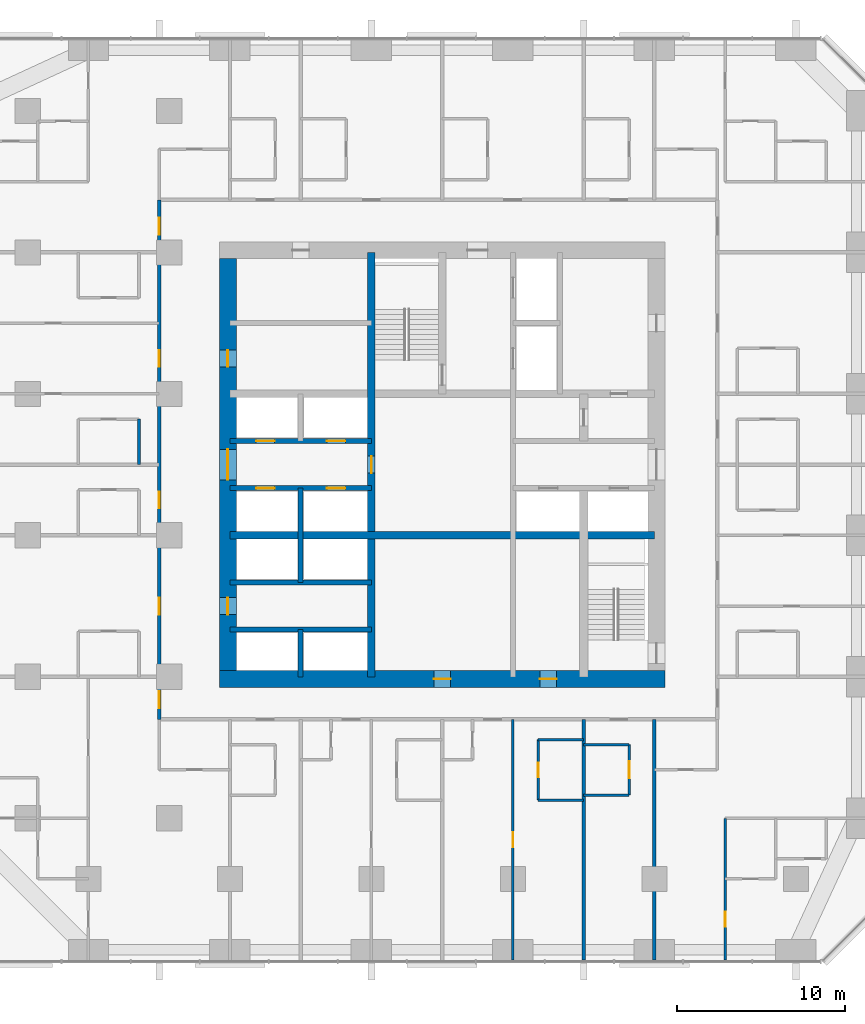
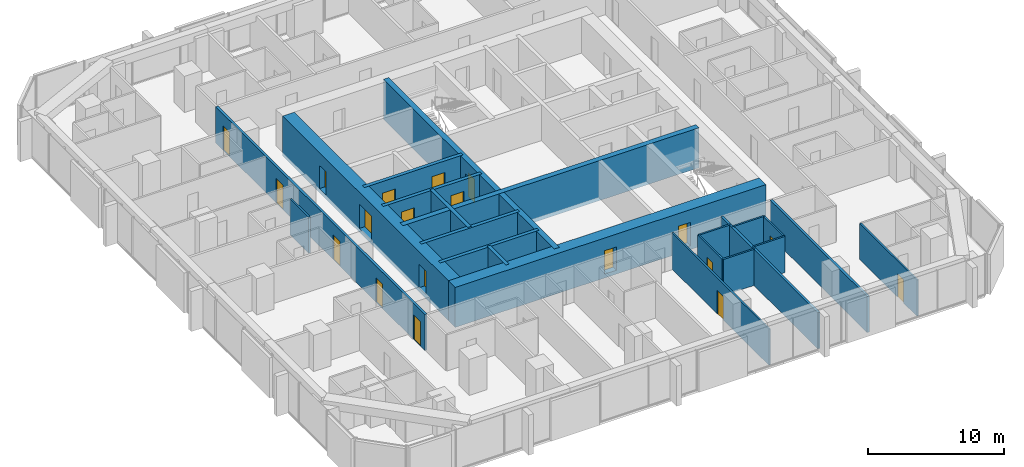
# One storey, part 9 of 14: 22 walls, 19 doors, 19 openings.
"""IFC4 building model written with IfcOpenShell, lengths in metres."""

from ifc_helpers import new_model, si_unit, direction, frame, frame_2d, origin, place, context, subcontext, project, spatial, rectangle, extrude, material, layer, layer_set, type_object, element, fill, save


model = new_model("IFC4")

# Units and contexts
model_context = context("Model", 3, precision=1e-05, world=origin(), true_north=direction((0.0, 1.0)))
body_context = subcontext(model_context, "Body", "Model", "MODEL_VIEW")
ifc_project = project(units=[si_unit("LENGTHUNIT", "METRE"), si_unit("AREAUNIT", "SQUARE_METRE"), si_unit("VOLUMEUNIT", "CUBIC_METRE"), si_unit("PLANEANGLEUNIT", "RADIAN"), si_unit("MASSUNIT", "GRAM", prefix="KILO")], contexts=[model_context])

# Site, building, storey
site_placement = place(None, origin())
site = spatial("IfcSite", under=ifc_project, at=site_placement, CompositionType="ELEMENT")
building_placement = place(site_placement, origin())
building = spatial("IfcBuilding", under=site, at=building_placement, Name="Dunama Terrace Hotel", CompositionType="ELEMENT")
storey_placement = place(building_placement, frame((0.0, 0.0, 133.199951171875)))
storey = spatial("IfcBuildingStorey", under=building, at=storey_placement, Name="L34", CompositionType="ELEMENT", Elevation=133.199951171875)

# Wall
ifc_material_1 = material(Name="Gypsum board partition", Category="masonry")
ifc_layer_1 = layer(ifc_material_1, 0.14990234375)
ifc_layer_set_1 = layer_set([ifc_layer_1], Name="Bathroom partition 150")
wall_type_1 = type_object("IfcWallType", Name="Bathroom partition 150", PredefinedType="PARTITIONING", material=ifc_layer_set_1)
wall_1_placement = place(storey_placement, frame((11.39990234375, 29.39990234375, 0.0), z_axis=(0.0, 0.0, 1.0), x_axis=(0.0, 1.0, 0.0)))
element("IfcWall", 1, at=wall_1_placement, inside=storey, type_object=wall_type_1, Name="Bathroom partition 150 L34", PredefinedType="PARTITIONING", context=body_context, shape_type="SweptSolid", body=[
    extrude(rectangle(XDim=2.7001953125, YDim=0.14990234375, at=frame_2d((1.35009765625, 0.0))), origin(), (0.0, 0.0, 1.0), 3.25),
])

# Wall, opening, door
wall_2_placement = place(storey_placement, frame((35.10009765625, 9.47509765625, 0.0), z_axis=(0.0, 0.0, 1.0), x_axis=(0.0, 1.0, 0.0)))
wall_2 = element("IfcWall", 2, at=wall_2_placement, inside=storey, type_object=wall_type_1, Name="Bathroom partition 150 L34", PredefinedType="PARTITIONING", context=body_context, shape_type="SweptSolid", body=[
    extrude(rectangle(XDim=3.599853515625, YDim=0.14990234375, at=frame_2d((1.7998046875, 0.0))), origin(), (0.0, 0.0, 1.0), 3.25),
])
opening_1_placement = place(wall_2_placement, frame((1.375, 0.0, 0.0)))
opening_1 = element("IfcOpeningElement", 3, at=opening_1_placement, cuts=wall_2, Name="Opening L34-36-020", PredefinedType="OPENING", context=body_context, shape_type="SweptSolid", body=[
    extrude(rectangle(XDim=0.85009765625, YDim=2.10009765625, at=frame_2d((0.425048828125, 1.050048828125))), frame((0.0, 0.0849609375, 0.0), z_axis=(0.0, -1.0, 0.0), x_axis=(1.0, 0.0, 0.0)), (0.0, 0.0, 1.0), 0.169921875),
])
ifc_material_2 = material(Name="Timber door with steel frame", Category="steel")
door_type_1 = type_object("IfcDoorType", Name="Bathroom door 850", OperationType="SINGLE_SWING_LEFT", PredefinedType="DOOR", material=ifc_material_2)
door_1_placement = place(opening_1_placement, frame((0.85009765625, 0.0, 0.0), z_axis=(0.0, 0.0, 1.0), x_axis=(-1.0, 0.0, 0.0)))
door_1 = element("IfcDoor", 4, at=door_1_placement, inside=storey, type_object=door_type_1, Name="Door to en-suite bathroom L34-36-020, type D2", OperationType="SINGLE_SWING_RIGHT", OverallHeight=2.10009765625, OverallWidth=0.85009765625, PredefinedType="DOOR", context=body_context, shape_type="SweptSolid", body=[
    extrude(rectangle(XDim=0.85009765625, YDim=2.10009765625, at=frame_2d((0.425048828125, 1.050048828125))), frame((0.0, 0.025146484375, 0.0), z_axis=(0.0, -1.0, 0.0), x_axis=(1.0, 0.0, 0.0)), (0.0, 0.0, 1.0), 0.050048828125),
])
fill(opening_1, door_1)

wall_3_placement = place(storey_placement, frame((40.5, 9.77490234375, 0.0), z_axis=(0.0, 0.0, 1.0), x_axis=(0.0, 1.0, 0.0)))
wall_3 = element("IfcWall", 5, at=wall_3_placement, inside=storey, type_object=wall_type_1, Name="Bathroom partition 150 L34", PredefinedType="PARTITIONING", context=body_context, shape_type="SweptSolid", body=[
    extrude(rectangle(XDim=3.0, YDim=0.14990234375, at=frame_2d((1.5, 0.0))), origin(), (0.0, 0.0, 1.0), 3.25),
])
opening_2_placement = place(wall_3_placement, frame((1.0, 0.0, 0.0)))
opening_2 = element("IfcOpeningElement", 6, at=opening_2_placement, cuts=wall_3, Name="Opening L34-36-022", PredefinedType="OPENING", context=body_context, shape_type="SweptSolid", body=[
    extrude(rectangle(XDim=1.0, YDim=2.10009765625, at=frame_2d((0.5, 1.050048828125))), frame((0.0, 0.0849609375, 0.0), z_axis=(0.0, -1.0, 0.0), x_axis=(1.0, 0.0, 0.0)), (0.0, 0.0, 1.0), 0.169921875),
])
ifc_material_3 = material(Name="Timber door with steel frame", Category="steel")
door_type_2 = type_object("IfcDoorType", Name="Accessible room door 1000", OperationType="SINGLE_SWING_LEFT", PredefinedType="DOOR", material=ifc_material_3)
door_2_placement = place(opening_2_placement, origin())
door_2 = element("IfcDoor", 7, at=door_2_placement, inside=storey, type_object=door_type_2, Name="Door to accessible en-suite bathroom L34-36-022, type D17", OperationType="SINGLE_SWING_LEFT", OverallHeight=2.10009765625, OverallWidth=1.0, PredefinedType="DOOR", context=body_context, shape_type="SweptSolid", body=[
    extrude(rectangle(XDim=1.0, YDim=2.10009765625, at=frame_2d((0.5, 1.050048828125))), frame((0.0, 0.02490234375, 0.0), z_axis=(0.0, -1.0, 0.0), x_axis=(1.0, 0.0, 0.0)), (0.0, 0.0, 1.0), 0.050048828125),
])
fill(opening_2, door_2)

# Walls
for number, where, z_axis, x_axis, name in (
    (8, (35.10009765625, 9.47509765625, 0.0), (0.0, 0.0, 1.0), (1.0, 0.0, 0.0), "Bathroom partition 150 L34"),
    (9, (37.800048828125, 9.77490234375, 0.0), (0.0, 0.0, 1.0), (1.0, 0.0, 0.0), "Bathroom partition 150 L34"),
    (10, (37.800048828125, 12.77490234375, 0.0), (0.0, 0.0, 1.0), (1.0, 0.0, 0.0), "Bathroom partition 150 L34"),
    (11, (35.10009765625, 13.074951171875, 0.0), (0.0, 0.0, 1.0), (1.0, 0.0, 0.0), "Bathroom partition 150 L34"),
):
    element("IfcWall", number, at=place(storey_placement, frame(where, z_axis=z_axis, x_axis=x_axis)), inside=storey, type_object=wall_type_1, Name=name, PredefinedType="PARTITIONING", context=body_context, shape_type="SweptSolid", body=[
        extrude(rectangle(XDim=2.699951171875, YDim=0.14990234375, at=frame_2d((1.35009765625, 0.0))), origin(), (0.0, 0.0, 1.0), 3.25),
    ])
ifc_material_4 = material(Name="Concrete C50/60", Category="concrete")
ifc_layer_2 = layer(ifc_material_4, 0.300048828125)
ifc_layer_set_2 = layer_set([ifc_layer_2], Name="Core inner wall 300")
wall_type_2 = type_object("IfcWallType", Name="Core inner wall 300", PredefinedType="SHEAR", material=ifc_layer_set_2)
wall_4_placement = place(storey_placement, frame((21.0, 16.800048828125, -0.349853515625), z_axis=(0.0, 0.0, 1.0), x_axis=(0.0, 1.0, 0.0)))
element("IfcWall", 12, at=wall_4_placement, inside=storey, type_object=wall_type_2, Name="Core inner wall 300 L34", PredefinedType="SHEAR", context=body_context, shape_type="SweptSolid", body=[
    extrude(rectangle(XDim=2.800048828125, YDim=0.300048828125, at=frame_2d((1.39990234375, 0.0))), origin(), (0.0, 0.0, 1.0), 3.599853515625),
])
wall_5_placement = place(storey_placement, frame((21.0, 22.39990234375, -0.349853515625), z_axis=(0.0, 0.0, 1.0), x_axis=(0.0, 1.0, 0.0)))
element("IfcWall", 13, at=wall_5_placement, inside=storey, type_object=wall_type_2, Name="Core inner wall 300 L34", PredefinedType="SHEAR", context=body_context, shape_type="SweptSolid", body=[
    extrude(rectangle(XDim=5.60009765625, YDim=0.300048828125, at=frame_2d((2.800048828125, 0.0))), origin(), (0.0, 0.0, 1.0), 3.599853515625),
])
for number, where, z_axis, x_axis, name in (
    (14, (16.800048828125, 19.60009765625, -0.349853515625), (0.0, 0.0, 1.0), (1.0, 0.0, 0.0), "Core inner wall 300 L34"),
    (15, (16.800048828125, 22.39990234375, -0.349853515625), (0.0, 0.0, 1.0), (1.0, 0.0, 0.0), "Core inner wall 300 L34"),
):
    element("IfcWall", number, at=place(storey_placement, frame(where, z_axis=z_axis, x_axis=x_axis)), inside=storey, type_object=wall_type_2, Name=name, PredefinedType="SHEAR", context=body_context, shape_type="SweptSolid", body=[
        extrude(rectangle(XDim=8.39990234375, YDim=0.300048828125, at=frame_2d((4.199951171875, 0.0))), origin(), (0.0, 0.0, 1.0), 3.599853515625),
    ])

# Wall, openings, doors
wall_6_placement = place(storey_placement, frame((16.800048828125, 28.0, -0.349853515625), z_axis=(0.0, 0.0, 1.0), x_axis=(1.0, 0.0, 0.0)))
wall_6 = element("IfcWall", 16, at=wall_6_placement, inside=storey, type_object=wall_type_2, Name="Core inner wall 300 L34", PredefinedType="SHEAR", context=body_context, shape_type="SweptSolid", body=[
    extrude(rectangle(XDim=8.39990234375, YDim=0.300048828125, at=frame_2d((4.199951171875, 0.0))), origin(), (0.0, 0.0, 1.0), 3.599853515625),
])
opening_3_placement = place(wall_6_placement, frame((1.550048828125, 0.0, 0.35009765625)))
opening_3 = element("IfcOpeningElement", 17, at=opening_3_placement, cuts=wall_6, Name="Opening L34-36-005", PredefinedType="OPENING", context=body_context, shape_type="SweptSolid", body=[
    extrude(rectangle(XDim=1.10009765625, YDim=2.199951171875, at=frame_2d((0.550048828125, 1.10009765625))), frame((0.0, 0.159912109375, 0.0), z_axis=(0.0, -1.0, 0.0), x_axis=(1.0, 0.0, 0.0)), (0.0, 0.0, 1.0), 0.320068359375),
])
opening_4_placement = place(wall_6_placement, frame((5.75, 0.0, 0.35009765625)))
opening_4 = element("IfcOpeningElement", 18, at=opening_4_placement, cuts=wall_6, Name="Opening L34-36-006", PredefinedType="OPENING", context=body_context, shape_type="SweptSolid", body=[
    extrude(rectangle(XDim=1.10009765625, YDim=2.199951171875, at=frame_2d((0.550048828125, 1.10009765625))), frame((0.0, 0.159912109375, 0.0), z_axis=(0.0, -1.0, 0.0), x_axis=(1.0, 0.0, 0.0)), (0.0, 0.0, 1.0), 0.320068359375),
])
ifc_material_5 = material(Name="Stainless steel lift door", Category="steel")
door_type_3 = type_object("IfcDoorType", Name="Lift landing door 1100", OperationType="DOUBLE_DOOR_SLIDING", PredefinedType="DOOR", material=ifc_material_5)
door_3_placement = place(opening_3_placement, origin())
door_3 = element("IfcDoor", 19, at=door_3_placement, inside=storey, type_object=door_type_3, Name="Landing door PC1 L34-36-005, type LD1", OperationType="DOUBLE_DOOR_SLIDING", OverallHeight=2.199951171875, OverallWidth=1.10009765625, PredefinedType="DOOR", context=body_context, shape_type="SweptSolid", body=[
    extrude(rectangle(XDim=1.10009765625, YDim=2.199951171875, at=frame_2d((0.550048828125, 1.10009765625))), frame((0.0, 0.02490234375, 0.0), z_axis=(0.0, -1.0, 0.0), x_axis=(1.0, 0.0, 0.0)), (0.0, 0.0, 1.0), 0.050048828125),
])
fill(opening_3, door_3)
door_4_placement = place(opening_4_placement, origin())
door_4 = element("IfcDoor", 20, at=door_4_placement, inside=storey, type_object=door_type_3, Name="Landing door PC2 L34-36-006, type LD1", OperationType="DOUBLE_DOOR_SLIDING", OverallHeight=2.199951171875, OverallWidth=1.10009765625, PredefinedType="DOOR", context=body_context, shape_type="SweptSolid", body=[
    extrude(rectangle(XDim=1.10009765625, YDim=2.199951171875, at=frame_2d((0.550048828125, 1.10009765625))), frame((0.0, 0.02490234375, 0.0), z_axis=(0.0, -1.0, 0.0), x_axis=(1.0, 0.0, 0.0)), (0.0, 0.0, 1.0), 0.050048828125),
])
fill(opening_4, door_4)

wall_7_placement = place(storey_placement, frame((16.800048828125, 30.800048828125, -0.349853515625), z_axis=(0.0, 0.0, 1.0), x_axis=(1.0, 0.0, 0.0)))
wall_7 = element("IfcWall", 21, at=wall_7_placement, inside=storey, type_object=wall_type_2, Name="Core inner wall 300 L34", PredefinedType="SHEAR", context=body_context, shape_type="SweptSolid", body=[
    extrude(rectangle(XDim=8.39990234375, YDim=0.300048828125, at=frame_2d((4.199951171875, 0.0))), origin(), (0.0, 0.0, 1.0), 3.599853515625),
])
opening_5_placement = place(wall_7_placement, frame((1.550048828125, 0.0, 0.35009765625)))
opening_5 = element("IfcOpeningElement", 22, at=opening_5_placement, cuts=wall_7, Name="Opening L34-36-007", PredefinedType="OPENING", context=body_context, shape_type="SweptSolid", body=[
    extrude(rectangle(XDim=1.10009765625, YDim=2.199951171875, at=frame_2d((0.550048828125, 1.10009765625))), frame((0.0, 0.159912109375, 0.0), z_axis=(0.0, -1.0, 0.0), x_axis=(1.0, 0.0, 0.0)), (0.0, 0.0, 1.0), 0.320068359375),
])
opening_6_placement = place(wall_7_placement, frame((5.75, 0.0, 0.35009765625)))
opening_6 = element("IfcOpeningElement", 23, at=opening_6_placement, cuts=wall_7, Name="Opening L34-36-008", PredefinedType="OPENING", context=body_context, shape_type="SweptSolid", body=[
    extrude(rectangle(XDim=1.10009765625, YDim=2.199951171875, at=frame_2d((0.550048828125, 1.10009765625))), frame((0.0, 0.159912109375, 0.0), z_axis=(0.0, -1.0, 0.0), x_axis=(1.0, 0.0, 0.0)), (0.0, 0.0, 1.0), 0.320068359375),
])
door_5_placement = place(opening_5_placement, origin())
door_5 = element("IfcDoor", 24, at=door_5_placement, inside=storey, type_object=door_type_3, Name="Landing door PC3 L34-36-007, type LD1", OperationType="DOUBLE_DOOR_SLIDING", OverallHeight=2.199951171875, OverallWidth=1.10009765625, PredefinedType="DOOR", context=body_context, shape_type="SweptSolid", body=[
    extrude(rectangle(XDim=1.10009765625, YDim=2.199951171875, at=frame_2d((0.550048828125, 1.10009765625))), frame((0.0, 0.02490234375, 0.0), z_axis=(0.0, -1.0, 0.0), x_axis=(1.0, 0.0, 0.0)), (0.0, 0.0, 1.0), 0.050048828125),
])
fill(opening_5, door_5)
door_6_placement = place(opening_6_placement, origin())
door_6 = element("IfcDoor", 25, at=door_6_placement, inside=storey, type_object=door_type_3, Name="Landing door PC4 L34-36-008, type LD1", OperationType="DOUBLE_DOOR_SLIDING", OverallHeight=2.199951171875, OverallWidth=1.10009765625, PredefinedType="DOOR", context=body_context, shape_type="SweptSolid", body=[
    extrude(rectangle(XDim=1.10009765625, YDim=2.199951171875, at=frame_2d((0.550048828125, 1.10009765625))), frame((0.0, 0.02490234375, 0.0), z_axis=(0.0, -1.0, 0.0), x_axis=(1.0, 0.0, 0.0)), (0.0, 0.0, 1.0), 0.050048828125),
])
fill(opening_6, door_6)

# Wall, opening, door
ifc_material_6 = material(Name="Concrete C50/60", Category="concrete")
ifc_layer_3 = layer(ifc_material_6, 0.449951171875)
ifc_layer_set_3 = layer_set([ifc_layer_3], Name="Core inner wall 450")
wall_type_3 = type_object("IfcWallType", Name="Core inner wall 450", PredefinedType="SHEAR", material=ifc_layer_set_3)
wall_8_placement = place(storey_placement, frame((25.199951171875, 16.800048828125, -0.349853515625), z_axis=(0.0, 0.0, 1.0), x_axis=(0.0, 1.0, 0.0)))
wall_8 = element("IfcWall", 26, at=wall_8_placement, inside=storey, type_object=wall_type_3, Name="Core inner wall 450 L34", PredefinedType="SHEAR", context=body_context, shape_type="SweptSolid", body=[
    extrude(rectangle(XDim=25.199951171875, YDim=0.449951171875, at=frame_2d((12.60009765625, 0.0))), origin(), (0.0, 0.0, 1.0), 3.599853515625),
])
opening_7_placement = place(wall_8_placement, frame((12.10009765625, 0.0, 0.35009765625)))
opening_7 = element("IfcOpeningElement", 27, at=opening_7_placement, cuts=wall_8, Name="Opening L34-36-074", PredefinedType="OPENING", context=body_context, shape_type="SweptSolid", body=[
    extrude(rectangle(XDim=1.0, YDim=2.10009765625, at=frame_2d((0.5, 1.050048828125))), frame((0.0, 0.23486328125, 0.0), z_axis=(0.0, -1.0, 0.0), x_axis=(1.0, 0.0, 0.0)), (0.0, 0.0, 1.0), 0.469970703125),
])
ifc_material_7 = material(Name="Timber door with steel frame", Category="steel")
door_type_4 = type_object("IfcDoorType", Name="Service door 1000", OperationType="SINGLE_SWING_LEFT", PredefinedType="DOOR", material=ifc_material_7)
door_7_placement = place(opening_7_placement, frame((1.0, 0.0, 0.0), z_axis=(0.0, 0.0, 1.0), x_axis=(-1.0, 0.0, 0.0)))
door_7 = element("IfcDoor", 28, at=door_7_placement, inside=storey, type_object=door_type_4, Name="Door to guest pantry L34-36-074, type D7", OperationType="SINGLE_SWING_RIGHT", OverallHeight=2.10009765625, OverallWidth=1.0, PredefinedType="DOOR", context=body_context, shape_type="SweptSolid", body=[
    extrude(rectangle(XDim=1.0, YDim=2.10009765625, at=frame_2d((0.5, 1.050048828125))), frame((0.0, 0.025146484375, 0.0), z_axis=(0.0, -1.0, 0.0), x_axis=(1.0, 0.0, 0.0)), (0.0, 0.0, 1.0), 0.050048828125),
])
fill(opening_7, door_7)

# Wall
wall_9_placement = place(storey_placement, frame((16.800048828125, 25.199951171875, -0.349853515625), z_axis=(0.0, 0.0, 1.0), x_axis=(1.0, 0.0, 0.0)))
element("IfcWall", 29, at=wall_9_placement, inside=storey, type_object=wall_type_3, Name="Core inner wall 450 L34", PredefinedType="SHEAR", context=body_context, shape_type="SweptSolid", body=[
    extrude(rectangle(XDim=25.199951171875, YDim=0.449951171875, at=frame_2d((12.60009765625, 0.0))), origin(), (0.0, 0.0, 1.0), 3.599853515625),
])

# Wall, openings, doors
ifc_material_8 = material(Name="Concrete C60/75", Category="concrete")
ifc_layer_4 = layer(ifc_material_8, 1.0)
ifc_layer_set_4 = layer_set([ifc_layer_4], Name="Core wall 1000")
wall_type_4 = type_object("IfcWallType", Name="Core wall 1000", PredefinedType="SHEAR", material=ifc_layer_set_4)
wall_10_placement = place(storey_placement, frame((16.175048828125, 16.675048828125, -0.349853515625), z_axis=(0.0, 0.0, 1.0), x_axis=(1.0, 0.0, 0.0)))
wall_10 = element("IfcWall", 30, at=wall_10_placement, inside=storey, type_object=wall_type_4, Name="Core wall south L34", PredefinedType="SHEAR", context=body_context, shape_type="SweptSolid", body=[
    extrude(rectangle(XDim=26.449951171875, YDim=1.0, at=frame_2d((13.22509765625, 0.0))), origin(), (0.0, 0.0, 1.0), 3.599853515625),
])
opening_8_placement = place(wall_10_placement, frame((12.72509765625, 0.0, 0.35009765625)))
opening_8 = element("IfcOpeningElement", 31, at=opening_8_placement, cuts=wall_10, Name="Opening L34-36-080", PredefinedType="OPENING", context=body_context, shape_type="SweptSolid", body=[
    extrude(rectangle(XDim=1.0, YDim=2.10009765625, at=frame_2d((0.5, 1.050048828125))), frame((0.0, 0.510009765625, 0.0), z_axis=(0.0, -1.0, 0.0), x_axis=(1.0, 0.0, 0.0)), (0.0, 0.0, 1.0), 1.02001953125),
])
opening_9_placement = place(wall_10_placement, frame((19.02490234375, 0.0, 0.35009765625)))
opening_9 = element("IfcOpeningElement", 32, at=opening_9_placement, cuts=wall_10, Name="Opening L34-36-081", PredefinedType="OPENING", context=body_context, shape_type="SweptSolid", body=[
    extrude(rectangle(XDim=1.0, YDim=2.10009765625, at=frame_2d((0.5, 1.050048828125))), frame((0.0, 0.510009765625, 0.0), z_axis=(0.0, -1.0, 0.0), x_axis=(1.0, 0.0, 0.0)), (0.0, 0.0, 1.0), 1.02001953125),
])
door_8_placement = place(opening_8_placement, origin())
door_8 = element("IfcDoor", 33, at=door_8_placement, inside=storey, type_object=door_type_4, Name="Door to corridor air handling room L34-36-080, type D7", OperationType="SINGLE_SWING_LEFT", OverallHeight=2.10009765625, OverallWidth=1.0, PredefinedType="DOOR", context=body_context, shape_type="SweptSolid", body=[
    extrude(rectangle(XDim=1.0, YDim=2.10009765625, at=frame_2d((0.5, 1.050048828125))), frame((0.0, 0.02490234375, 0.0), z_axis=(0.0, -1.0, 0.0), x_axis=(1.0, 0.0, 0.0)), (0.0, 0.0, 1.0), 0.050048828125),
])
fill(opening_8, door_8)
door_9_placement = place(opening_9_placement, origin())
door_9 = element("IfcDoor", 34, at=door_9_placement, inside=storey, type_object=door_type_4, Name="Door to water riser room L34-36-081, type D7", OperationType="SINGLE_SWING_RIGHT", OverallHeight=2.10009765625, OverallWidth=1.0, PredefinedType="DOOR", context=body_context, shape_type="SweptSolid", body=[
    extrude(rectangle(XDim=1.0, YDim=2.10009765625, at=frame_2d((0.5, 1.050048828125))), frame((0.0, 0.02490234375, 0.0), z_axis=(0.0, -1.0, 0.0), x_axis=(1.0, 0.0, 0.0)), (0.0, 0.0, 1.0), 0.050048828125),
])
fill(opening_9, door_9)

wall_11_placement = place(storey_placement, frame((16.675048828125, 41.625, -0.349853515625), z_axis=(0.0, 0.0, 1.0), x_axis=(0.0, -1.0, 0.0)))
wall_11 = element("IfcWall", 35, at=wall_11_placement, inside=storey, type_object=wall_type_4, Name="Core wall west L34", PredefinedType="SHEAR", context=body_context, shape_type="SweptSolid", body=[
    extrude(rectangle(XDim=24.449951171875, YDim=1.0, at=frame_2d((12.22509765625, 0.0))), origin(), (0.0, 0.0, 1.0), 3.599853515625),
])
opening_10_placement = place(wall_11_placement, frame((11.324951171875, 0.0, 0.35009765625)))
opening_10 = element("IfcOpeningElement", 36, at=opening_10_placement, cuts=wall_11, Name="Opening L34-36-070", PredefinedType="OPENING", context=body_context, shape_type="SweptSolid", body=[
    extrude(rectangle(XDim=1.800048828125, YDim=2.199951171875, at=frame_2d((0.89990234375, 1.10009765625))), frame((0.0, 0.510009765625, 0.0), z_axis=(0.0, -1.0, 0.0), x_axis=(1.0, 0.0, 0.0)), (0.0, 0.0, 1.0), 1.02001953125),
])
opening_11_placement = place(wall_11_placement, frame((20.125, 0.0, 0.35009765625)))
opening_11 = element("IfcOpeningElement", 37, at=opening_11_placement, cuts=wall_11, Name="Opening L34-36-071", PredefinedType="OPENING", context=body_context, shape_type="SweptSolid", body=[
    extrude(rectangle(XDim=1.0, YDim=2.10009765625, at=frame_2d((0.5, 1.050048828125))), frame((0.0, 0.510009765625, 0.0), z_axis=(0.0, -1.0, 0.0), x_axis=(1.0, 0.0, 0.0)), (0.0, 0.0, 1.0), 1.02001953125),
])
opening_12_placement = place(wall_11_placement, frame((5.425048828125, 0.0, 0.35009765625)))
opening_12 = element("IfcOpeningElement", 38, at=opening_12_placement, cuts=wall_11, Name="Opening L34-36-072", PredefinedType="OPENING", context=body_context, shape_type="SweptSolid", body=[
    extrude(rectangle(XDim=1.0, YDim=2.10009765625, at=frame_2d((0.5, 1.050048828125))), frame((0.0, 0.510009765625, 0.0), z_axis=(0.0, -1.0, 0.0), x_axis=(1.0, 0.0, 0.0)), (0.0, 0.0, 1.0), 1.02001953125),
])
ifc_material_9 = material(Name="Timber door with steel frame", Category="steel")
door_type_5 = type_object("IfcDoorType", Name="Lift lobby double door 1800", OperationType="DOUBLE_DOOR_DOUBLE_SWING", PredefinedType="DOOR", material=ifc_material_9)
door_10_placement = place(opening_10_placement, origin())
door_10 = element("IfcDoor", 39, at=door_10_placement, inside=storey, type_object=door_type_5, Name="Door to lift lobby L34-36-070, type D3", OperationType="DOUBLE_DOOR_DOUBLE_SWING", OverallHeight=2.199951171875, OverallWidth=1.800048828125, PredefinedType="DOOR", context=body_context, shape_type="SweptSolid", body=[
    extrude(rectangle(XDim=1.800048828125, YDim=2.199951171875, at=frame_2d((0.89990234375, 1.10009765625))), frame((0.0, 0.02490234375, 0.0), z_axis=(0.0, -1.0, 0.0), x_axis=(1.0, 0.0, 0.0)), (0.0, 0.0, 1.0), 0.050048828125),
])
fill(opening_10, door_10)
door_11_placement = place(opening_11_placement, origin())
door_11 = element("IfcDoor", 40, at=door_11_placement, inside=storey, type_object=door_type_4, Name="Door to service lobby L34-36-071, type D7", OperationType="SINGLE_SWING_LEFT", OverallHeight=2.10009765625, OverallWidth=1.0, PredefinedType="DOOR", context=body_context, shape_type="SweptSolid", body=[
    extrude(rectangle(XDim=1.0, YDim=2.10009765625, at=frame_2d((0.5, 1.050048828125))), frame((0.0, 0.02490234375, 0.0), z_axis=(0.0, -1.0, 0.0), x_axis=(1.0, 0.0, 0.0)), (0.0, 0.0, 1.0), 0.050048828125),
])
fill(opening_11, door_11)
door_12_placement = place(opening_12_placement, origin())
door_12 = element("IfcDoor", 41, at=door_12_placement, inside=storey, type_object=door_type_4, Name="Door to electrical room L34-36-072, type D7", OperationType="SINGLE_SWING_RIGHT", OverallHeight=2.10009765625, OverallWidth=1.0, PredefinedType="DOOR", context=body_context, shape_type="SweptSolid", body=[
    extrude(rectangle(XDim=1.0, YDim=2.10009765625, at=frame_2d((0.5, 1.050048828125))), frame((0.0, 0.02490234375, 0.0), z_axis=(0.0, -1.0, 0.0), x_axis=(1.0, 0.0, 0.0)), (0.0, 0.0, 1.0), 0.050048828125),
])
fill(opening_12, door_12)

ifc_material_10 = material(Name="Concrete blockwork", Category="masonry")
ifc_layer_5 = layer(ifc_material_10, 0.199951171875)
ifc_layer_set_5 = layer_set([ifc_layer_5], Name="Corridor partition 200")
wall_type_5 = type_object("IfcWallType", Name="Corridor partition 200", PredefinedType="PARTITIONING", material=ifc_layer_set_5)
wall_12_placement = place(storey_placement, frame((12.60009765625, 14.27490234375, 0.0), z_axis=(0.0, 0.0, 1.0), x_axis=(0.0, 1.0, 0.0)))
wall_12 = element("IfcWall", 42, at=wall_12_placement, inside=storey, type_object=wall_type_5, Name="Corridor partition 200 L34", PredefinedType="PARTITIONING", context=body_context, shape_type="SweptSolid", body=[
    extrude(rectangle(XDim=30.85009765625, YDim=0.199951171875, at=frame_2d((15.425048828125, 0.0))), origin(), (0.0, 0.0, 1.0), 3.25),
])
opening_13_placement = place(wall_12_placement, frame((6.22509765625, 0.0, 0.0)))
opening_13 = element("IfcOpeningElement", 43, at=opening_13_placement, cuts=wall_12, Name="Opening L34-36-040", PredefinedType="OPENING", context=body_context, shape_type="SweptSolid", body=[
    extrude(rectangle(XDim=1.0, YDim=2.199951171875, at=frame_2d((0.5, 1.10009765625))), frame((0.0, 0.10986328125, 0.0), z_axis=(0.0, -1.0, 0.0), x_axis=(1.0, 0.0, 0.0)), (0.0, 0.0, 1.0), 0.219970703125),
])
opening_14_placement = place(wall_12_placement, frame((12.52490234375, 0.0, 0.0)))
opening_14 = element("IfcOpeningElement", 44, at=opening_14_placement, cuts=wall_12, Name="Opening L34-36-042", PredefinedType="OPENING", context=body_context, shape_type="SweptSolid", body=[
    extrude(rectangle(XDim=1.0, YDim=2.199951171875, at=frame_2d((0.5, 1.10009765625))), frame((0.0, 0.10986328125, 0.0), z_axis=(0.0, -1.0, 0.0), x_axis=(1.0, 0.0, 0.0)), (0.0, 0.0, 1.0), 0.219970703125),
])
opening_15_placement = place(wall_12_placement, frame((20.925048828125, 0.0, 0.0)))
opening_15 = element("IfcOpeningElement", 45, at=opening_15_placement, cuts=wall_12, Name="Opening L34-36-044", PredefinedType="OPENING", context=body_context, shape_type="SweptSolid", body=[
    extrude(rectangle(XDim=1.0, YDim=2.199951171875, at=frame_2d((0.5, 1.10009765625))), frame((0.0, 0.10986328125, 0.0), z_axis=(0.0, -1.0, 0.0), x_axis=(1.0, 0.0, 0.0)), (0.0, 0.0, 1.0), 0.219970703125),
])
opening_16_placement = place(wall_12_placement, frame((0.6630859375, 0.0, 0.0)))
opening_16 = element("IfcOpeningElement", 46, at=opening_16_placement, cuts=wall_12, Name="Opening L34-36-049", PredefinedType="OPENING", context=body_context, shape_type="SweptSolid", body=[
    extrude(rectangle(XDim=1.0, YDim=2.199951171875, at=frame_2d((0.5, 1.10009765625))), frame((0.0, 0.10986328125, 0.0), z_axis=(0.0, -1.0, 0.0), x_axis=(1.0, 0.0, 0.0)), (0.0, 0.0, 1.0), 0.219970703125),
])
opening_17_placement = place(wall_12_placement, frame((28.787109375, 0.0, 0.0)))
opening_17 = element("IfcOpeningElement", 47, at=opening_17_placement, cuts=wall_12, Name="Opening L34-36-065", PredefinedType="OPENING", context=body_context, shape_type="SweptSolid", body=[
    extrude(rectangle(XDim=1.0, YDim=2.199951171875, at=frame_2d((0.5, 1.10009765625))), frame((0.0, 0.10986328125, 0.0), z_axis=(0.0, -1.0, 0.0), x_axis=(1.0, 0.0, 0.0)), (0.0, 0.0, 1.0), 0.219970703125),
])
ifc_material_11 = material(Name="Timber door with steel frame", Category="steel")
door_type_6 = type_object("IfcDoorType", Name="Guest room door 1000", OperationType="SINGLE_SWING_LEFT", PredefinedType="DOOR", material=ifc_material_11)
door_13_placement = place(opening_13_placement, origin())
door_13 = element("IfcDoor", 48, at=door_13_placement, inside=storey, type_object=door_type_6, Name="Door to junior suite L34-36-040, type D1", OperationType="SINGLE_SWING_LEFT", OverallHeight=2.199951171875, OverallWidth=1.0, PredefinedType="DOOR", context=body_context, shape_type="SweptSolid", body=[
    extrude(rectangle(XDim=1.0, YDim=2.199951171875, at=frame_2d((0.5, 1.10009765625))), frame((0.0, 0.02490234375, 0.0), z_axis=(0.0, -1.0, 0.0), x_axis=(1.0, 0.0, 0.0)), (0.0, 0.0, 1.0), 0.050048828125),
])
fill(opening_13, door_13)
door_14_placement = place(opening_14_placement, origin())
door_14 = element("IfcDoor", 49, at=door_14_placement, inside=storey, type_object=door_type_6, Name="Door to premier room L34-36-042, type D1", OperationType="SINGLE_SWING_LEFT", OverallHeight=2.199951171875, OverallWidth=1.0, PredefinedType="DOOR", context=body_context, shape_type="SweptSolid", body=[
    extrude(rectangle(XDim=1.0, YDim=2.199951171875, at=frame_2d((0.5, 1.10009765625))), frame((0.0, 0.02490234375, 0.0), z_axis=(0.0, -1.0, 0.0), x_axis=(1.0, 0.0, 0.0)), (0.0, 0.0, 1.0), 0.050048828125),
])
fill(opening_14, door_14)
door_15_placement = place(opening_15_placement, origin())
door_15 = element("IfcDoor", 50, at=door_15_placement, inside=storey, type_object=door_type_6, Name="Door to family suite living room L34-36-044, type D1", OperationType="SINGLE_SWING_LEFT", OverallHeight=2.199951171875, OverallWidth=1.0, PredefinedType="DOOR", context=body_context, shape_type="SweptSolid", body=[
    extrude(rectangle(XDim=1.0, YDim=2.199951171875, at=frame_2d((0.5, 1.10009765625))), frame((0.0, 0.02490234375, 0.0), z_axis=(0.0, -1.0, 0.0), x_axis=(1.0, 0.0, 0.0)), (0.0, 0.0, 1.0), 0.050048828125),
])
fill(opening_15, door_15)
door_16_placement = place(opening_16_placement, origin())
door_16 = element("IfcDoor", 51, at=door_16_placement, inside=storey, type_object=door_type_6, Name="Door to corner suite living room L34-36-049, type D1", OperationType="SINGLE_SWING_RIGHT", OverallHeight=2.199951171875, OverallWidth=1.0, PredefinedType="DOOR", context=body_context, shape_type="SweptSolid", body=[
    extrude(rectangle(XDim=1.0, YDim=2.199951171875, at=frame_2d((0.5, 1.10009765625))), frame((0.0, 0.02490234375, 0.0), z_axis=(0.0, -1.0, 0.0), x_axis=(1.0, 0.0, 0.0)), (0.0, 0.0, 1.0), 0.050048828125),
])
fill(opening_16, door_16)
door_17_placement = place(opening_17_placement, origin())
door_17 = element("IfcDoor", 52, at=door_17_placement, inside=storey, type_object=door_type_6, Name="Door to corner suite living room L34-36-065, type D1", OperationType="SINGLE_SWING_LEFT", OverallHeight=2.199951171875, OverallWidth=1.0, PredefinedType="DOOR", context=body_context, shape_type="SweptSolid", body=[
    extrude(rectangle(XDim=1.0, YDim=2.199951171875, at=frame_2d((0.5, 1.10009765625))), frame((0.0, 0.02490234375, 0.0), z_axis=(0.0, -1.0, 0.0), x_axis=(1.0, 0.0, 0.0)), (0.0, 0.0, 1.0), 0.050048828125),
])
fill(opening_17, door_17)

# Walls
ifc_material_12 = material(Name="Concrete blockwork", Category="masonry")
ifc_layer_6 = layer(ifc_material_12, 0.199951171875)
ifc_layer_set_6 = layer_set([ifc_layer_6], Name="Party wall 200")
wall_type_6 = type_object("IfcWallType", Name="Party wall 200", PredefinedType="PARTITIONING", material=ifc_layer_set_6)
for number, where, z_axis, x_axis, name in (
    (53, (37.800048828125, -0.01806640625, 0.0), (0.0, 0.0, 1.0), (0.0, 1.0, 0.0), "Party wall 200 L34"),
    (54, (42.0, -0.01806640625, 0.0), (0.0, 0.0, 1.0), (0.0, 1.0, 0.0), "Party wall 200 L34"),
):
    element("IfcWall", number, at=place(storey_placement, frame(where, z_axis=z_axis, x_axis=x_axis)), inside=storey, type_object=wall_type_6, Name=name, PredefinedType="PARTITIONING", context=body_context, shape_type="SweptSolid", body=[
        extrude(rectangle(XDim=14.29296875, YDim=0.199951171875, at=frame_2d((7.146484375, 0.0))), origin(), (0.0, 0.0, 1.0), 3.25),
    ])

# Wall, opening, door
ifc_material_13 = material(Name="Gypsum board partition", Category="masonry")
ifc_layer_7 = layer(ifc_material_13, 0.14990234375)
ifc_layer_set_7 = layer_set([ifc_layer_7], Name="Room partition 150")
wall_type_7 = type_object("IfcWallType", Name="Room partition 150", PredefinedType="PARTITIONING", material=ifc_layer_set_7)
wall_13_placement = place(storey_placement, frame((33.60009765625, -0.01806640625, 0.0), z_axis=(0.0, 0.0, 1.0), x_axis=(0.0, 1.0, 0.0)))
wall_13 = element("IfcWall", 55, at=wall_13_placement, inside=storey, type_object=wall_type_7, Name="Room partition 150 L34", PredefinedType="PARTITIONING", context=body_context, shape_type="SweptSolid", body=[
    extrude(rectangle(XDim=14.29296875, YDim=0.14990234375, at=frame_2d((7.146484375, 0.0))), origin(), (0.0, 0.0, 1.0), 3.25),
])
opening_18_placement = place(wall_13_placement, frame((6.7060546875, 0.0, 0.0)))
opening_18 = element("IfcOpeningElement", 56, at=opening_18_placement, cuts=wall_13, Name="Opening L34-36-019", PredefinedType="OPENING", context=body_context, shape_type="SweptSolid", body=[
    extrude(rectangle(XDim=0.89990234375, YDim=2.10009765625, at=frame_2d((0.449951171875, 1.050048828125))), frame((0.0, 0.0849609375, 0.0), z_axis=(0.0, -1.0, 0.0), x_axis=(1.0, 0.0, 0.0)), (0.0, 0.0, 1.0), 0.169921875),
])
ifc_material_14 = material(Name="Timber door with steel frame", Category="steel")
door_type_7 = type_object("IfcDoorType", Name="Suite internal door 900", OperationType="SINGLE_SWING_LEFT", PredefinedType="DOOR", material=ifc_material_14)
door_18_placement = place(opening_18_placement, frame((0.89990234375, 0.0, 0.0), z_axis=(0.0, 0.0, 1.0), x_axis=(-1.0, 0.0, 0.0)))
door_18 = element("IfcDoor", 57, at=door_18_placement, inside=storey, type_object=door_type_7, Name="Door to premier suite bedroom L34-36-019, type D16", OperationType="SINGLE_SWING_RIGHT", OverallHeight=2.10009765625, OverallWidth=0.89990234375, PredefinedType="DOOR", context=body_context, shape_type="SweptSolid", body=[
    extrude(rectangle(XDim=0.89990234375, YDim=2.10009765625, at=frame_2d((0.449951171875, 1.050048828125))), frame((0.0, 0.025146484375, 0.0), z_axis=(0.0, -1.0, 0.0), x_axis=(1.0, 0.0, 0.0)), (0.0, 0.0, 1.0), 0.050048828125),
])
fill(opening_18, door_18)

wall_14_placement = place(storey_placement, frame((46.199951171875, -0.01806640625, 0.0), z_axis=(0.0, 0.0, 1.0), x_axis=(0.0, 1.0, 0.0)))
wall_14 = element("IfcWall", 58, at=wall_14_placement, inside=storey, type_object=wall_type_7, Name="Room partition 150 L34", PredefinedType="PARTITIONING", context=body_context, shape_type="SweptSolid", body=[
    extrude(rectangle(XDim=8.41796875, YDim=0.14990234375, at=frame_2d((4.208984375, 0.0))), origin(), (0.0, 0.0, 1.0), 3.25),
])
opening_19_placement = place(wall_14_placement, frame((1.968017578125, 0.0, 0.0)))
opening_19 = element("IfcOpeningElement", 59, at=opening_19_placement, cuts=wall_14, Name="Opening L34-36-057", PredefinedType="OPENING", context=body_context, shape_type="SweptSolid", body=[
    extrude(rectangle(XDim=0.89990234375, YDim=2.10009765625, at=frame_2d((0.449951171875, 1.050048828125))), frame((0.0, 0.0849609375, 0.0), z_axis=(0.0, -1.0, 0.0), x_axis=(1.0, 0.0, 0.0)), (0.0, 0.0, 1.0), 0.169921875),
])
door_19_placement = place(opening_19_placement, frame((0.89990234375, 0.0, 0.0), z_axis=(0.0, 0.0, 1.0), x_axis=(-1.0, 0.0, 0.0)))
door_19 = element("IfcDoor", 60, at=door_19_placement, inside=storey, type_object=door_type_7, Name="Door to corner suite bedroom L34-36-057, type D16", OperationType="SINGLE_SWING_LEFT", OverallHeight=2.10009765625, OverallWidth=0.89990234375, PredefinedType="DOOR", context=body_context, shape_type="SweptSolid", body=[
    extrude(rectangle(XDim=0.89990234375, YDim=2.10009765625, at=frame_2d((0.449951171875, 1.050048828125))), frame((0.0, 0.025146484375, 0.0), z_axis=(0.0, -1.0, 0.0), x_axis=(1.0, 0.0, 0.0)), (0.0, 0.0, 1.0), 0.050048828125),
])
fill(opening_19, door_19)

save(model, "model.ifc")
